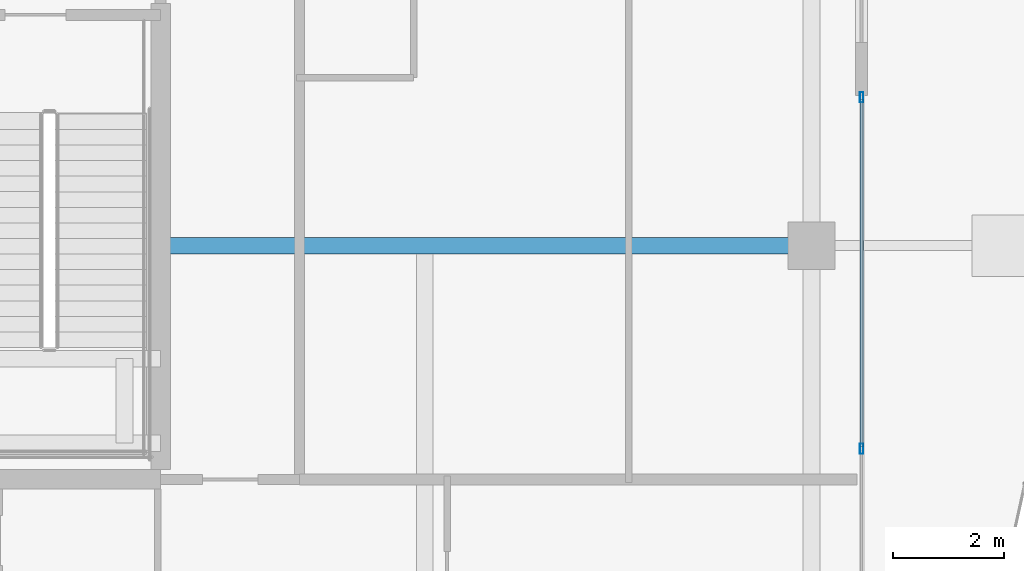
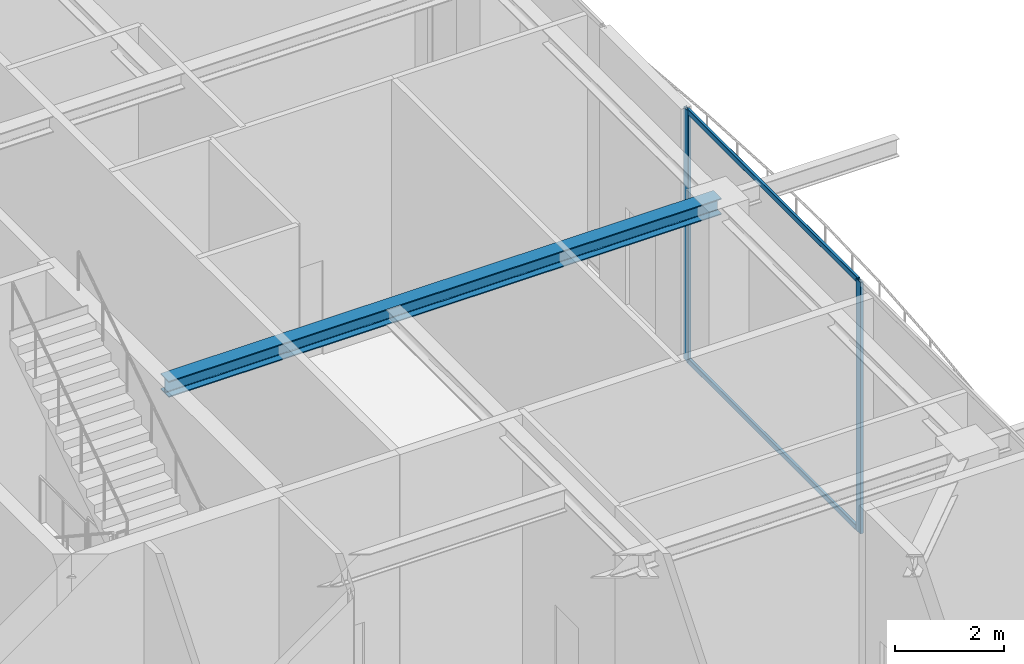
# One storey, part 14 of 38: 4 members, 1 beam, 1 element without a shape of its own.
"""IFC4 building model written with IfcOpenShell, lengths in metres."""

from ifc_helpers import new_model, si_unit, direction, frame, origin, origin_2d, place, context, subcontext, project, spatial, hollow_rectangle, i_section, extrude, source, transform, mapped, material, layer, layer_set, material_profile, profile_set, type_object, element, aggregate, save


model = new_model("IFC4")

# Units and contexts
model_context = context("Model", 3, precision=1e-05, world=origin(), true_north=direction((0.0, 1.0)))
body_context = subcontext(model_context, "Body", "Model", "MODEL_VIEW")
ifc_project = project(units=[si_unit("LENGTHUNIT", "METRE"), si_unit("AREAUNIT", "SQUARE_METRE"), si_unit("VOLUMEUNIT", "CUBIC_METRE"), si_unit("PLANEANGLEUNIT", "RADIAN"), si_unit("MASSUNIT", "GRAM", prefix="KILO")], contexts=[model_context])

# Site, building, storey
site_placement = place(None, origin())
site = spatial("IfcSite", under=ifc_project, at=site_placement, CompositionType="ELEMENT")
building_placement = place(site_placement, origin())
building = spatial("IfcBuilding", under=site, at=building_placement, Name="Serunith Strait Residences", CompositionType="ELEMENT")
storey_placement = place(building_placement, frame((0.0, 0.0, 342.050048828125)))
storey = spatial("IfcBuildingStorey", under=building, at=storey_placement, Name="L85", CompositionType="ELEMENT", Elevation=342.050048828125)

# Beam
ifc_material_1 = material(Name="Steel S355J2", Category="steel")
ifc_material_profile_1 = material_profile(ifc_material_1, i_section(OverallWidth=0.300048828125, OverallDepth=0.360107421875, WebThickness=0.012451171875, FlangeThickness=0.0224609375, FilletRadius=0.027099609375, at=origin_2d()), Name="HEB 360")
ifc_profile_set_1 = profile_set([ifc_material_profile_1], Name="Steel S355J2")
beam_type = type_object("IfcBeamType", Name="BM-HEB360", PredefinedType="BEAM", material=ifc_profile_set_1)
shared_shape_1 = source(origin(), body_context, "Body", "SweptSolid", [
    extrude(i_section(OverallWidth=0.300048828125, OverallDepth=0.360107421875, WebThickness=0.012451171875, FlangeThickness=0.0224609375, FilletRadius=0.027099609375, at=origin_2d()), origin(), (0.0, 0.0, 1.0), 11.7001953125),
])
beam_placement = place(storey_placement, frame((41.39990234375, 21.0, 5.45703125), z_axis=(1.0, 0.0, 0.0), x_axis=(0.0, 1.0, 0.0)))
element("IfcBeam", 1, at=beam_placement, inside=storey, type_object=beam_type, Name="L85 Primary Floor Girder TC-E2", PredefinedType="BEAM", context=body_context, shape_type="MappedRepresentation", body=[
    mapped(shared_shape_1, transform((0.0, 0.0, 0.0), scale=1.0)),
])

# Curtain wall, members
ifc_material_2 = material(Name="Brushed Stainless-Silver Aluminium", Category="aluminium")
ifc_layer = layer(ifc_material_2, 0.199951171875, Name="Brushed Stainless-Silver Aluminium")
ifc_layer_set = layer_set([ifc_layer], Name="Brushed Stainless-Silver Aluminium")
curtain_wall_type = type_object("IfcCurtainWallType", Name="CW-SYS5", PredefinedType="NOTDEFINED", material=ifc_layer_set)
curtain_wall_placement = place(storey_placement, origin())
curtain_wall = element("IfcCurtainWall", 2, at=curtain_wall_placement, inside=storey, type_object=curtain_wall_type, Name="L85 E Unitised Fritted Curtain Wall", PredefinedType="NOTDEFINED")
ifc_material_profile_2 = material_profile(ifc_material_2, hollow_rectangle(XDim=0.06005859375, YDim=0.1201171875, WallThickness=0.00341796875, InnerFilletRadius=0.00537109375, OuterFilletRadius=0.0087890625, at=origin_2d()), Name="ALU 120x60x3.5")
ifc_profile_set_2 = profile_set([ifc_material_profile_2], Name="Brushed Stainless-Silver Aluminium")
member_type_1 = type_object("IfcMemberType", Name="CW-SYS5-TRAN", PredefinedType="USERDEFINED", material=ifc_profile_set_2)
shared_shape_2 = source(origin(), body_context, "Body", "SweptSolid", [
    extrude(hollow_rectangle(XDim=0.06005859375, YDim=0.1201171875, WallThickness=0.00341796875, InnerFilletRadius=0.00537109375, OuterFilletRadius=0.0087890625, at=origin_2d()), origin(), (0.0, 0.0, 1.0), 6.25244140625),
])
member_1_placement = place(storey_placement, frame((54.0, 17.382568359375, 0.030029296875), z_axis=(0.0, 1.0, 0.0), x_axis=(-1.0, 0.0, 0.0)))
member_1 = element("IfcMember", 3, at=member_1_placement, type_object=member_type_1, Name="CW-5 transom 2.1", ObjectType="TRANSOM", PredefinedType="USERDEFINED", context=body_context, shape_type="MappedRepresentation", body=[
    mapped(shared_shape_2, transform((0.0, 0.0, 0.0), scale=1.0)),
])
member_2_placement = place(storey_placement, frame((54.0, 17.382568359375, 5.594970703125), z_axis=(0.0, 1.0, 0.0), x_axis=(-1.0, 0.0, 0.0)))
member_2 = element("IfcMember", 4, at=member_2_placement, type_object=member_type_1, Name="CW-5 transom 2.2", ObjectType="TRANSOM", PredefinedType="USERDEFINED", context=body_context, shape_type="MappedRepresentation", body=[
    mapped(shared_shape_2, transform((0.0, 0.0, 0.0), scale=1.0)),
])
ifc_material_profile_3 = material_profile(ifc_material_2, hollow_rectangle(XDim=0.06494140625, YDim=0.179931640625, WallThickness=0.00341796875, InnerFilletRadius=0.00537109375, OuterFilletRadius=0.0087890625, at=origin_2d()), Name="ALU 180x65x3.5")
ifc_profile_set_3 = profile_set([ifc_material_profile_3], Name="Brushed Stainless-Silver Aluminium")
member_type_2 = type_object("IfcMemberType", Name="CW-SYS5-MULL", PredefinedType="MULLION", material=ifc_profile_set_3)
shared_shape_3 = source(origin(), body_context, "Body", "SweptSolid", [
    extrude(hollow_rectangle(XDim=0.06494140625, YDim=0.179931640625, WallThickness=0.00341796875, InnerFilletRadius=0.00537109375, OuterFilletRadius=0.0087890625, at=origin_2d()), origin(), (0.0, 0.0, 1.0), 5.625),
])
member_3_placement = place(storey_placement, frame((54.0, 17.35009765625, 0.0), z_axis=(0.0, 0.0, 1.0), x_axis=(-1.0, 0.0, 0.0)))
member_3 = element("IfcMember", 5, at=member_3_placement, type_object=member_type_2, Name="CW-5 mullion 2", PredefinedType="MULLION", context=body_context, shape_type="MappedRepresentation", body=[
    mapped(shared_shape_3, transform((0.0, 0.0, 0.0), scale=1.0)),
])
member_4_placement = place(storey_placement, frame((54.0, 23.66748046875, 0.0), z_axis=(0.0, 0.0, 1.0), x_axis=(-1.0, 0.0, 0.0)))
member_4 = element("IfcMember", 6, at=member_4_placement, type_object=member_type_2, Name="CW-5 mullion 3", PredefinedType="MULLION", context=body_context, shape_type="MappedRepresentation", body=[
    mapped(shared_shape_3, transform((0.0, 0.0, 0.0), scale=1.0)),
])
aggregate(curtain_wall, [member_3, member_4, member_1, member_2])

save(model, "model.ifc")
